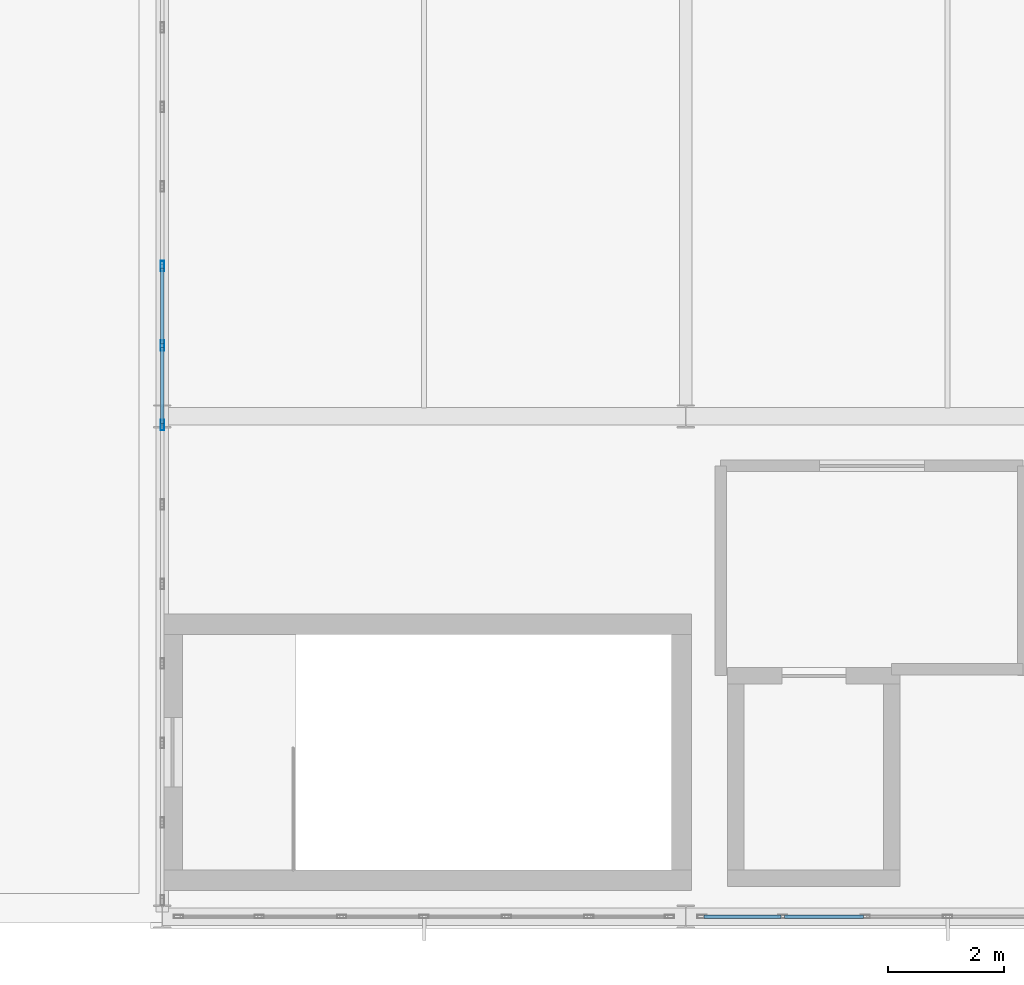
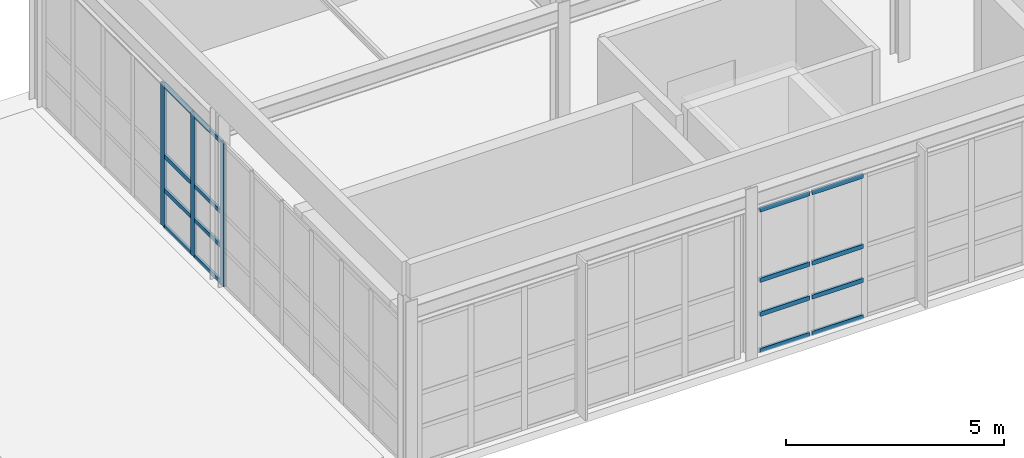
# One storey, part 7 of 38: 19 members, 2 elements without a shape of their own.
"""IFC4 building model written with IfcOpenShell, lengths in metres."""

import ifcopenshell
import ifcopenshell.guid

model = None  # the IFC model being written
_history = None  # IfcOwnerHistory: only IFC2X3 demands one
_inside = {}  # id of a spatial element -> (the spatial element, [elements in it])
_under = {}  # id of a project, library or spatial element -> (it, [spatial elements below it])
_declared = {}  # id of a project -> (the project, [libraries it declares])
_typed = {}  # id of a type object -> (the type object, [elements of that type])
_made_of = {}  # id of a material, layer set ... -> (it, [elements and type objects made of it])


def new_model(schema):
    """Start an empty IFC model of exactly this schema.

    Asked for "IFC4X3", IfcOpenShell would pick the latest addendum, in which some entities
    have other attributes; the version numbers below select the first issue.
    IFC2X3 requires an IfcOwnerHistory on every rooted entity: one is made here for all.
    """
    global model, _history
    if schema == "IFC4X3":
        model = ifcopenshell.file(schema_version=(4, 3, 0, 0))
    else:
        model = ifcopenshell.file(schema=schema)
    _inside.clear()
    _under.clear()
    _declared.clear()
    _typed.clear()
    _made_of.clear()
    _history = None
    if model.schema == "IFC2X3":
        org = make("IfcOrganization", Name="unknown")
        user = make(
            "IfcPersonAndOrganization",
            ThePerson=make("IfcPerson", FamilyName="unknown"),
            TheOrganization=org,
        )
        app = make(
            "IfcApplication",
            ApplicationDeveloper=org,
            Version="unknown",
            ApplicationFullName="unknown",
            ApplicationIdentifier="unknown",
        )
        _history = make(
            "IfcOwnerHistory",
            OwningUser=user,
            OwningApplication=app,
            ChangeAction="ADDED",
            CreationDate=0,
        )
    return model


def make(cls, **values):
    """One entity of the class cls with the attributes given. An attribute that is None is left unset."""
    return model.create_entity(
        cls, **{name: value for name, value in values.items() if value is not None}
    )


def rooted(cls, **values):
    """An entity with a GlobalId (a new one), such as an element, a storey or a relation."""
    return make(cls, GlobalId=ifcopenshell.guid.new(), OwnerHistory=_history, **values)


def si_unit(unit_type, name, prefix=None):
    """IfcSIUnit, for example si_unit("LENGTHUNIT", "METRE", prefix="MILLI")."""
    return make("IfcSIUnit", UnitType=unit_type, Prefix=prefix, Name=name)


def assignment(units):
    """IfcUnitAssignment: the units of a project."""
    return None if units is None else make("IfcUnitAssignment", Units=units)


def point(xyz):
    """IfcCartesianPoint."""
    return None if xyz is None else make("IfcCartesianPoint", Coordinates=xyz)


def direction(xyz):
    """IfcDirection."""
    return None if xyz is None else make("IfcDirection", DirectionRatios=xyz)


def frame(location, z_axis=None, x_axis=None):
    """IfcAxis2Placement3D, a coordinate frame: its origin and axes. An axis left out is left unset."""
    return make(
        "IfcAxis2Placement3D",
        Location=point(location),
        Axis=direction(z_axis),
        RefDirection=direction(x_axis),
    )


def frame_2d(location, x_axis=None):
    """IfcAxis2Placement2D, a coordinate frame in the plane: its origin and x axis."""
    return make(
        "IfcAxis2Placement2D", Location=point(location), RefDirection=direction(x_axis)
    )


def origin():
    """The frame at (0, 0, 0) with its axes left unset."""
    return frame((0.0, 0.0, 0.0))


def origin_2d():
    """The frame at (0, 0) in the plane with its x axis left unset."""
    return frame_2d((0.0, 0.0))


def place(relative_to, where):
    """IfcLocalPlacement: puts the frame where relative to a parent placement (None: the world)."""
    return make(
        "IfcLocalPlacement", PlacementRelTo=relative_to, RelativePlacement=where
    )


def context(
    kind, dimensions, precision=None, world=None, true_north=None, identifier=None
):
    """IfcGeometricRepresentationContext, for example the 3D "Model" context."""
    return make(
        "IfcGeometricRepresentationContext",
        ContextIdentifier=identifier,
        ContextType=kind,
        CoordinateSpaceDimension=dimensions,
        Precision=precision,
        WorldCoordinateSystem=world,
        TrueNorth=true_north,
    )


def subcontext(parent, identifier, kind, view, scale=None):
    """IfcGeometricRepresentationSubContext, for example "Body" below "Model"."""
    return make(
        "IfcGeometricRepresentationSubContext",
        ContextIdentifier=identifier,
        ContextType=kind,
        ParentContext=parent,
        TargetScale=scale,
        TargetView=view,
    )


def project(units=None, contexts=None):
    """IfcProject with its units and contexts."""
    return rooted(
        "IfcProject",
        Name="project",
        RepresentationContexts=contexts,
        UnitsInContext=assignment(units),
    )


def spatial(cls, under=None, at=None, **own):
    """A site, building, storey or space (cls), placed at a placement, below another one or the project."""
    s = rooted(cls, ObjectPlacement=at, **own)
    if under is not None:
        _under.setdefault(under.id(), (under, []))[1].append(s)
    return s


def profile(cls, at=None, kind="AREA", **sizes):
    """A parametric profile (cls). Its sizes go by their IFC names, for example OverallWidth=200.0."""
    return make(cls, ProfileType=kind, Position=at, **sizes)


def hollow_rectangle(**sizes):
    """IfcRectangleHollowProfileDef."""
    return profile("IfcRectangleHollowProfileDef", **sizes)


def extrude(swept, where, along, depth):
    """IfcExtrudedAreaSolid: the profile swept, set in the frame where, extruded along a direction by depth."""
    return make(
        "IfcExtrudedAreaSolid",
        SweptArea=swept,
        Position=where,
        ExtrudedDirection=direction(along),
        Depth=depth,
    )


def shape(context_of_items, identifier, shape_type, items):
    """IfcShapeRepresentation: the items that make up one representation, for example the "Body"."""
    return make(
        "IfcShapeRepresentation",
        ContextOfItems=context_of_items,
        RepresentationIdentifier=identifier,
        RepresentationType=shape_type,
        Items=items,
    )


def material(Name=None, Category=None):
    """IfcMaterial."""
    return make("IfcMaterial", Name=Name, Category=Category)


def material_profile(
    of_material, cross_section, Name=None, Category=None, Priority=None
):
    """IfcMaterialProfile: a cross section and its material."""
    return make(
        "IfcMaterialProfile",
        Name=Name,
        Material=of_material,
        Profile=cross_section,
        Priority=Priority,
        Category=Category,
    )


def profile_set(profiles, Name=None, composite=None):
    """IfcMaterialProfileSet."""
    return make(
        "IfcMaterialProfileSet",
        Name=Name,
        MaterialProfiles=profiles,
        CompositeProfile=composite,
    )


def made_of(thing, what):
    """Note that an element or type object is made of a material, layer set ...; save() writes the relation."""
    if what is not None:
        _made_of.setdefault(what.id(), (what, []))[1].append(thing)
    return thing


def type_object(cls, material=None, **own):
    """A type object (cls), such as IfcWallType, which elements share."""
    return made_of(rooted(cls, **own), material)


def element(
    cls,
    number,
    at=None,
    inside=None,
    cuts=None,
    type_object=None,
    material=None,
    context=None,
    identifier="Body",
    shape_type=None,
    held_by="IfcProductDefinitionShape",
    body=None,
    shapes=None,
    **own,
):
    """One element of the class cls, such as IfcWall. Its Tag is "e" and its number.

    at: its placement. inside: the storey or other place that contains it. cuts: it is an
    opening in that element (IfcRelVoidsElement). A single representation is given by context,
    identifier, shape_type and body (its items); several are given by shapes. held_by: the class
    of the entity that holds the representations. save() writes the other relations.
    """
    e = rooted(cls, Tag="e%d" % number, ObjectPlacement=at, **own)
    if body is not None:
        shapes = [shape(context, identifier, shape_type, body)]
    if shapes is not None:
        e.Representation = make(held_by, Representations=shapes)
    if inside is not None:
        _inside.setdefault(inside.id(), (inside, []))[1].append(e)
    if cuts is not None:
        rooted(
            "IfcRelVoidsElement", RelatingBuildingElement=cuts, RelatedOpeningElement=e
        )
    if type_object is not None:
        _typed.setdefault(type_object.id(), (type_object, []))[1].append(e)
    return made_of(e, material)


def aggregate(whole, parts):
    """IfcRelAggregates: a whole, such as a stair, and the parts it consists of."""
    return rooted("IfcRelAggregates", RelatingObject=whole, RelatedObjects=parts)


def save(model, path):
    """Write the relations noted so far, then the file.

    IfcRelAggregates (storeys below a building ...), IfcRelContainedInSpatialStructure (elements
    in a storey), IfcRelDefinesByType, IfcRelAssociatesMaterial and IfcRelDeclares: one each for
    every whole, place, type object, material and project.
    """
    for whole, parts in _under.values():
        aggregate(whole, parts)
    for where, things in _inside.values():
        rooted(
            "IfcRelContainedInSpatialStructure",
            RelatedElements=things,
            RelatingStructure=where,
        )
    for kind, things in _typed.values():
        rooted("IfcRelDefinesByType", RelatedObjects=things, RelatingType=kind)
    for what, things in _made_of.values():
        rooted("IfcRelAssociatesMaterial", RelatedObjects=things, RelatingMaterial=what)
    for by, libraries in _declared.values():
        rooted("IfcRelDeclares", RelatingContext=by, RelatedDefinitions=libraries)
    model.write(path)


model = new_model("IFC4")

# Units and contexts
model_context = context("Model", 3, precision=1e-05, world=origin(), true_north=direction((0.0, 1.0)))
body_context = subcontext(model_context, "Body", "Model", "MODEL_VIEW")
ifc_project = project(units=[si_unit("LENGTHUNIT", "METRE"), si_unit("AREAUNIT", "SQUARE_METRE"), si_unit("VOLUMEUNIT", "CUBIC_METRE"), si_unit("PLANEANGLEUNIT", "RADIAN"), si_unit("MASSUNIT", "GRAM", prefix="KILO")], contexts=[model_context])

# Site, building, storey
site_placement = place(None, origin())
site = spatial("IfcSite", under=ifc_project, at=site_placement, CompositionType="ELEMENT")
building_placement = place(site_placement, origin())
building = spatial("IfcBuilding", under=site, at=building_placement, Name="Kaldris Quays Convention Centre", CompositionType="ELEMENT")
storey_placement = place(building_placement, frame((0.0, 0.0, 21.60009765625)))
storey = spatial("IfcBuildingStorey", under=building, at=storey_placement, Name="L04", CompositionType="ELEMENT", Elevation=21.60009765625)

# Curtain wall, members
ifc_material_1 = material(Name="Anodized aluminium AW-6060 and triple glazing", Category="aluminium")
curtain_wall_type = type_object("IfcCurtainWallType", Name="UNITISED CURTAIN WALL CW04", PredefinedType="NOTDEFINED", material=ifc_material_1)
curtain_wall_1_placement = place(storey_placement, origin())
curtain_wall_1 = element("IfcCurtainWall", 1, at=curtain_wall_1_placement, inside=storey, type_object=curtain_wall_type, Name="L04 Unitised Curtain Wall CW04 135", PredefinedType="NOTDEFINED")
ifc_material_2 = material(Name="Anodized aluminium AW-6060", Category="aluminium")
ifc_material_profile_1 = material_profile(ifc_material_2, hollow_rectangle(XDim=0.06005859375, YDim=0.179931640625, WallThickness=0.0048828125, at=origin_2d()), Name="RHS 180x60x5")
ifc_profile_set_1 = profile_set([ifc_material_profile_1], Name="Anodized aluminium AW-6060")
member_type_1 = type_object("IfcMemberType", Name="CURTAIN MULLION CWM2", PredefinedType="MULLION", material=ifc_profile_set_1)
member_1_placement = place(storey_placement, frame((92.0, 46.449951171875, 0.0), z_axis=(0.0, 0.0, 1.0), x_axis=(-1.0, 0.0, 0.0)))
member_1 = element("IfcMember", 2, at=member_1_placement, type_object=member_type_1, Name="CW04 mullion 7", PredefinedType="MULLION", context=body_context, shape_type="SweptSolid", body=[
    extrude(hollow_rectangle(XDim=0.06005859375, YDim=0.179931640625, WallThickness=0.0048828125, at=origin_2d()), origin(), (0.0, 0.0, 1.0), 4.0),
])
member_2_placement = place(storey_placement, frame((92.0, 47.816650390625, 0.0), z_axis=(0.0, 0.0, 1.0), x_axis=(-1.0, 0.0, 0.0)))
member_2 = element("IfcMember", 3, at=member_2_placement, type_object=member_type_1, Name="CW04 mullion 8", PredefinedType="MULLION", context=body_context, shape_type="SweptSolid", body=[
    extrude(hollow_rectangle(XDim=0.06005859375, YDim=0.179931640625, WallThickness=0.0048828125, at=origin_2d()), origin(), (0.0, 0.0, 1.0), 4.0),
])
member_3_placement = place(storey_placement, frame((92.0, 49.183349609375, 0.0), z_axis=(0.0, 0.0, 1.0), x_axis=(-1.0, 0.0, 0.0)))
member_3 = element("IfcMember", 4, at=member_3_placement, type_object=member_type_1, Name="CW04 mullion 9", PredefinedType="MULLION", context=body_context, shape_type="SweptSolid", body=[
    extrude(hollow_rectangle(XDim=0.06005859375, YDim=0.179931640625, WallThickness=0.0048828125, at=origin_2d()), origin(), (0.0, 0.0, 1.0), 4.0),
])

curtain_wall_2_placement = place(storey_placement, origin())
curtain_wall_2 = element("IfcCurtainWall", 5, at=curtain_wall_2_placement, inside=storey, type_object=curtain_wall_type, Name="L04 Unitised Curtain Wall CW04 130", PredefinedType="NOTDEFINED")
ifc_material_profile_2 = material_profile(ifc_material_2, hollow_rectangle(XDim=0.06005859375, YDim=0.1201171875, WallThickness=0.00390625, at=origin_2d()), Name="RHS 120x60x4")
ifc_profile_set_2 = profile_set([ifc_material_profile_2], Name="Anodized aluminium AW-6060")
member_type_2 = type_object("IfcMemberType", Name="CURTAIN TRANSOM CWT1", PredefinedType="USERDEFINED", material=ifc_profile_set_2)
member_4_placement = place(storey_placement, frame((101.31005859375, 38.0, 0.02978515625), z_axis=(1.0, 0.0, 0.0), x_axis=(0.0, 1.0, 0.0)))
member_4 = element("IfcMember", 6, at=member_4_placement, type_object=member_type_2, Name="CW04 transom 1.1", ObjectType="TRANSOM", PredefinedType="USERDEFINED", context=body_context, shape_type="SweptSolid", body=[
    extrude(hollow_rectangle(XDim=0.06005859375, YDim=0.1201171875, WallThickness=0.00390625, at=origin_2d()), origin(), (0.0, 0.0, 1.0), 1.32666015625),
])
member_5_placement = place(storey_placement, frame((101.31005859375, 38.0, 1.0498046875), z_axis=(1.0, 0.0, 0.0), x_axis=(0.0, 1.0, 0.0)))
member_5 = element("IfcMember", 7, at=member_5_placement, type_object=member_type_2, Name="CW04 transom 1.2", ObjectType="TRANSOM", PredefinedType="USERDEFINED", context=body_context, shape_type="SweptSolid", body=[
    extrude(hollow_rectangle(XDim=0.06005859375, YDim=0.1201171875, WallThickness=0.00390625, at=origin_2d()), origin(), (0.0, 0.0, 1.0), 1.32666015625),
])
member_6_placement = place(storey_placement, frame((101.31005859375, 38.0, 2.0), z_axis=(1.0, 0.0, 0.0), x_axis=(0.0, 1.0, 0.0)))
member_6 = element("IfcMember", 8, at=member_6_placement, type_object=member_type_2, Name="CW04 transom 1.3", ObjectType="TRANSOM", PredefinedType="USERDEFINED", context=body_context, shape_type="SweptSolid", body=[
    extrude(hollow_rectangle(XDim=0.06005859375, YDim=0.1201171875, WallThickness=0.00390625, at=origin_2d()), origin(), (0.0, 0.0, 1.0), 1.32666015625),
])
member_7_placement = place(storey_placement, frame((101.31005859375, 38.0, 3.969970703125), z_axis=(1.0, 0.0, 0.0), x_axis=(0.0, 1.0, 0.0)))
member_7 = element("IfcMember", 9, at=member_7_placement, type_object=member_type_2, Name="CW04 transom 1.4", ObjectType="TRANSOM", PredefinedType="USERDEFINED", context=body_context, shape_type="SweptSolid", body=[
    extrude(hollow_rectangle(XDim=0.06005859375, YDim=0.1201171875, WallThickness=0.00390625, at=origin_2d()), origin(), (0.0, 0.0, 1.0), 1.32666015625),
])
member_8_placement = place(storey_placement, frame((102.69677734375, 38.0, 0.02978515625), z_axis=(1.0, 0.0, 0.0), x_axis=(0.0, 1.0, 0.0)))
member_8 = element("IfcMember", 10, at=member_8_placement, type_object=member_type_2, Name="CW04 transom 2.1", ObjectType="TRANSOM", PredefinedType="USERDEFINED", context=body_context, shape_type="SweptSolid", body=[
    extrude(hollow_rectangle(XDim=0.06005859375, YDim=0.1201171875, WallThickness=0.00390625, at=origin_2d()), origin(), (0.0, 0.0, 1.0), 1.3564453125),
])
member_9_placement = place(storey_placement, frame((102.69677734375, 38.0, 1.0498046875), z_axis=(1.0, 0.0, 0.0), x_axis=(0.0, 1.0, 0.0)))
member_9 = element("IfcMember", 11, at=member_9_placement, type_object=member_type_2, Name="CW04 transom 2.2", ObjectType="TRANSOM", PredefinedType="USERDEFINED", context=body_context, shape_type="SweptSolid", body=[
    extrude(hollow_rectangle(XDim=0.06005859375, YDim=0.1201171875, WallThickness=0.00390625, at=origin_2d()), origin(), (0.0, 0.0, 1.0), 1.3564453125),
])
member_10_placement = place(storey_placement, frame((102.69677734375, 38.0, 2.0), z_axis=(1.0, 0.0, 0.0), x_axis=(0.0, 1.0, 0.0)))
member_10 = element("IfcMember", 12, at=member_10_placement, type_object=member_type_2, Name="CW04 transom 2.3", ObjectType="TRANSOM", PredefinedType="USERDEFINED", context=body_context, shape_type="SweptSolid", body=[
    extrude(hollow_rectangle(XDim=0.06005859375, YDim=0.1201171875, WallThickness=0.00390625, at=origin_2d()), origin(), (0.0, 0.0, 1.0), 1.3564453125),
])
member_11_placement = place(storey_placement, frame((102.69677734375, 38.0, 3.969970703125), z_axis=(1.0, 0.0, 0.0), x_axis=(0.0, 1.0, 0.0)))
member_11 = element("IfcMember", 13, at=member_11_placement, type_object=member_type_2, Name="CW04 transom 2.4", ObjectType="TRANSOM", PredefinedType="USERDEFINED", context=body_context, shape_type="SweptSolid", body=[
    extrude(hollow_rectangle(XDim=0.06005859375, YDim=0.1201171875, WallThickness=0.00390625, at=origin_2d()), origin(), (0.0, 0.0, 1.0), 1.3564453125),
])
aggregate(curtain_wall_2, [member_4, member_5, member_6, member_7, member_8, member_9, member_10, member_11])

# Member
member_12_placement = place(storey_placement, frame((92.0, 46.47998046875, 0.02978515625), z_axis=(0.0, 1.0, 0.0), x_axis=(-1.0, 0.0, 0.0)))
member_12 = element("IfcMember", 14, at=member_12_placement, type_object=member_type_2, Name="CW04 transom 7.1", ObjectType="TRANSOM", PredefinedType="USERDEFINED", context=body_context, shape_type="SweptSolid", body=[
    extrude(hollow_rectangle(XDim=0.06005859375, YDim=0.1201171875, WallThickness=0.00390625, at=origin_2d()), origin(), (0.0, 0.0, 1.0), 1.306640625),
])

member_13_placement = place(storey_placement, frame((92.0, 46.47998046875, 1.0498046875), z_axis=(0.0, 1.0, 0.0), x_axis=(-1.0, 0.0, 0.0)))
member_13 = element("IfcMember", 15, at=member_13_placement, type_object=member_type_2, Name="CW04 transom 7.2", ObjectType="TRANSOM", PredefinedType="USERDEFINED", context=body_context, shape_type="SweptSolid", body=[
    extrude(hollow_rectangle(XDim=0.06005859375, YDim=0.1201171875, WallThickness=0.00390625, at=origin_2d()), origin(), (0.0, 0.0, 1.0), 1.306640625),
])

member_14_placement = place(storey_placement, frame((92.0, 46.47998046875, 2.0), z_axis=(0.0, 1.0, 0.0), x_axis=(-1.0, 0.0, 0.0)))
member_14 = element("IfcMember", 16, at=member_14_placement, type_object=member_type_2, Name="CW04 transom 7.3", ObjectType="TRANSOM", PredefinedType="USERDEFINED", context=body_context, shape_type="SweptSolid", body=[
    extrude(hollow_rectangle(XDim=0.06005859375, YDim=0.1201171875, WallThickness=0.00390625, at=origin_2d()), origin(), (0.0, 0.0, 1.0), 1.306640625),
])

member_15_placement = place(storey_placement, frame((92.0, 46.47998046875, 3.969970703125), z_axis=(0.0, 1.0, 0.0), x_axis=(-1.0, 0.0, 0.0)))
member_15 = element("IfcMember", 17, at=member_15_placement, type_object=member_type_2, Name="CW04 transom 7.4", ObjectType="TRANSOM", PredefinedType="USERDEFINED", context=body_context, shape_type="SweptSolid", body=[
    extrude(hollow_rectangle(XDim=0.06005859375, YDim=0.1201171875, WallThickness=0.00390625, at=origin_2d()), origin(), (0.0, 0.0, 1.0), 1.306640625),
])

member_16_placement = place(storey_placement, frame((92.0, 47.8466796875, 0.02978515625), z_axis=(0.0, 1.0, 0.0), x_axis=(-1.0, 0.0, 0.0)))
member_16 = element("IfcMember", 18, at=member_16_placement, type_object=member_type_2, Name="CW04 transom 8.1", ObjectType="TRANSOM", PredefinedType="USERDEFINED", context=body_context, shape_type="SweptSolid", body=[
    extrude(hollow_rectangle(XDim=0.06005859375, YDim=0.1201171875, WallThickness=0.00390625, at=origin_2d()), origin(), (0.0, 0.0, 1.0), 1.306640625),
])

member_17_placement = place(storey_placement, frame((92.0, 47.8466796875, 1.0498046875), z_axis=(0.0, 1.0, 0.0), x_axis=(-1.0, 0.0, 0.0)))
member_17 = element("IfcMember", 19, at=member_17_placement, type_object=member_type_2, Name="CW04 transom 8.2", ObjectType="TRANSOM", PredefinedType="USERDEFINED", context=body_context, shape_type="SweptSolid", body=[
    extrude(hollow_rectangle(XDim=0.06005859375, YDim=0.1201171875, WallThickness=0.00390625, at=origin_2d()), origin(), (0.0, 0.0, 1.0), 1.306640625),
])

member_18_placement = place(storey_placement, frame((92.0, 47.8466796875, 2.0), z_axis=(0.0, 1.0, 0.0), x_axis=(-1.0, 0.0, 0.0)))
member_18 = element("IfcMember", 20, at=member_18_placement, type_object=member_type_2, Name="CW04 transom 8.3", ObjectType="TRANSOM", PredefinedType="USERDEFINED", context=body_context, shape_type="SweptSolid", body=[
    extrude(hollow_rectangle(XDim=0.06005859375, YDim=0.1201171875, WallThickness=0.00390625, at=origin_2d()), origin(), (0.0, 0.0, 1.0), 1.306640625),
])

member_19_placement = place(storey_placement, frame((92.0, 47.8466796875, 3.969970703125), z_axis=(0.0, 1.0, 0.0), x_axis=(-1.0, 0.0, 0.0)))
member_19 = element("IfcMember", 21, at=member_19_placement, type_object=member_type_2, Name="CW04 transom 8.4", ObjectType="TRANSOM", PredefinedType="USERDEFINED", context=body_context, shape_type="SweptSolid", body=[
    extrude(hollow_rectangle(XDim=0.06005859375, YDim=0.1201171875, WallThickness=0.00390625, at=origin_2d()), origin(), (0.0, 0.0, 1.0), 1.306640625),
])

aggregate(curtain_wall_1, [member_1, member_2, member_3, member_12, member_13, member_14, member_15, member_16, member_17, member_18, member_19])

save(model, "model.ifc")
